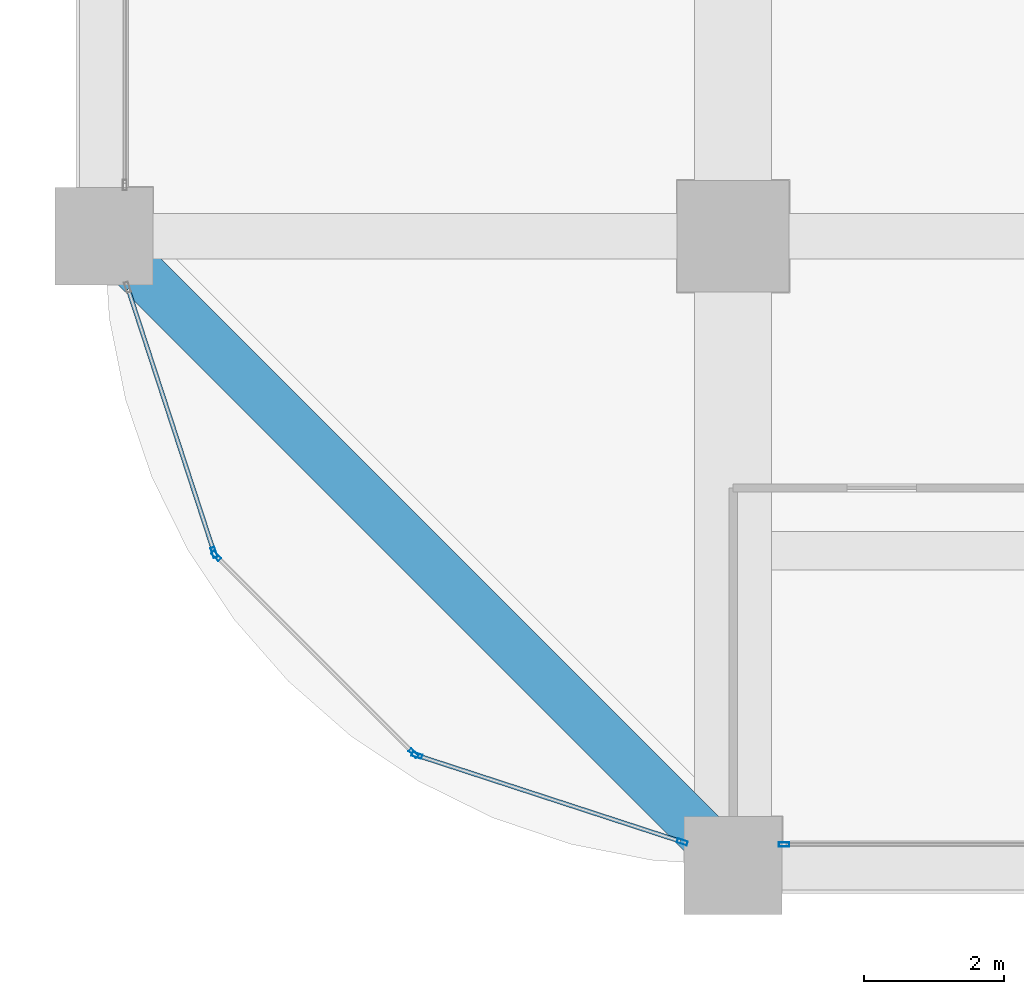
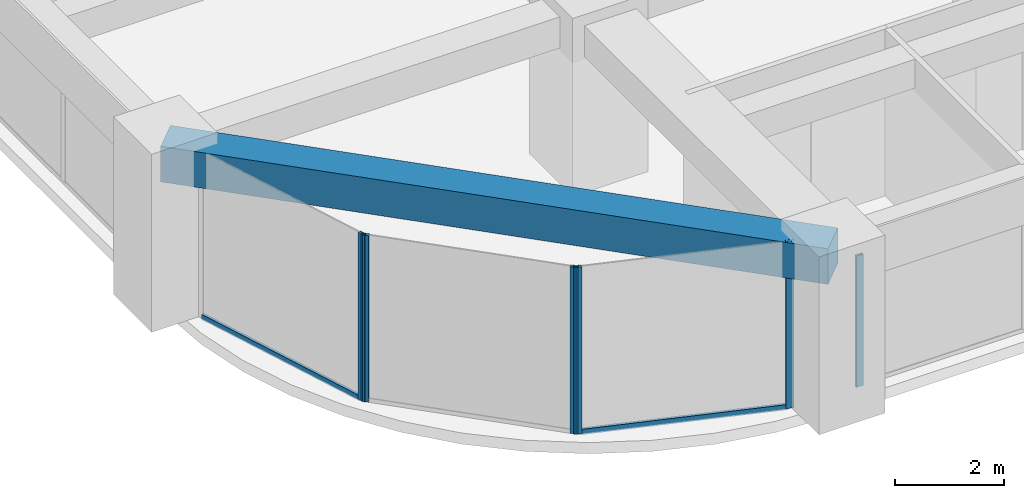
# One storey, part 2 of 33: 8 members, 1 beam, 4 elements without a shape of their own.
"""IFC4 building model written with IfcOpenShell, lengths in metres."""

from ifc_helpers import new_model, si_unit, direction, frame, origin, origin_2d, place, context, subcontext, project, spatial, rectangle, hollow_rectangle, extrude, material, material_profile, profile_set, type_object, element, aggregate, save


model = new_model("IFC4")

# Units and contexts
model_context = context("Model", 3, precision=1e-05, world=origin(), true_north=direction((0.0, 1.0)))
body_context = subcontext(model_context, "Body", "Model", "MODEL_VIEW")
ifc_project = project(units=[si_unit("LENGTHUNIT", "METRE"), si_unit("AREAUNIT", "SQUARE_METRE"), si_unit("VOLUMEUNIT", "CUBIC_METRE"), si_unit("PLANEANGLEUNIT", "RADIAN"), si_unit("MASSUNIT", "GRAM", prefix="KILO")], contexts=[model_context])

# Site, building, storey
site_placement = place(None, origin())
site = spatial("IfcSite", under=ifc_project, at=site_placement, CompositionType="ELEMENT")
building_placement = place(site_placement, origin())
building = spatial("IfcBuilding", under=site, at=building_placement, Name="Zorevar Civic Tower", CompositionType="ELEMENT")
storey_placement = place(building_placement, frame((0.0, 0.0, 178.199951171875)))
storey = spatial("IfcBuildingStorey", under=building, at=storey_placement, Name="L43", CompositionType="ELEMENT", Elevation=178.199951171875)

# Curtain wall, member
ifc_material_1 = material(Name="Dark grey solar-control glass in black aluminium frame", Category="aluminium")
curtain_wall_type = type_object("IfcCurtainWallType", Name="Curtain wall CW4 high zone", PredefinedType="NOTDEFINED", material=ifc_material_1)
curtain_wall_1_placement = place(storey_placement, origin())
curtain_wall_1 = element("IfcCurtainWall", 1, at=curtain_wall_1_placement, inside=storey, type_object=curtain_wall_type, Name="CW4 L43", PredefinedType="NOTDEFINED")
ifc_material_2 = material(Name="Aluminium, black anodised", Category="aluminium")
ifc_material_profile_1 = material_profile(ifc_material_2, hollow_rectangle(XDim=0.06005859375, YDim=0.14990234375, WallThickness=0.00390625, at=origin_2d()), Name="AL 150x60x4")
ifc_profile_set_1 = profile_set([ifc_material_profile_1], Name="Aluminium, black anodised")
member_type_1 = type_object("IfcMemberType", Name="CW4 mullion AL 150x60x4", PredefinedType="MULLION", material=ifc_profile_set_1)
member_1_placement = place(storey_placement, frame((9.72998046875, 0.300048828125, 0.0), z_axis=(0.0, 0.0, 1.0), x_axis=(0.0, 1.0, 0.0)))
member_1 = element("IfcMember", 2, at=member_1_placement, type_object=member_type_1, Name="CW4 mullion 1", PredefinedType="MULLION", context=body_context, shape_type="SweptSolid", body=[
    extrude(hollow_rectangle(XDim=0.06005859375, YDim=0.14990234375, WallThickness=0.00390625, at=origin_2d()), origin(), (0.0, 0.0, 1.0), 2.949951171875),
])
aggregate(curtain_wall_1, [member_1])

curtain_wall_2_placement = place(storey_placement, origin())
curtain_wall_2 = element("IfcCurtainWall", 3, at=curtain_wall_2_placement, inside=storey, type_object=curtain_wall_type, Name="CW4 L43", PredefinedType="NOTDEFINED")
member_2_placement = place(storey_placement, frame((1.57568359375, 4.477783203125, 0.0), z_axis=(0.0, 0.0, 1.0), x_axis=(0.950644749916, 0.310281419775, 0.0)))
member_2 = element("IfcMember", 4, at=member_2_placement, type_object=member_type_1, Name="CW4 mullion 2", PredefinedType="MULLION", context=body_context, shape_type="SweptSolid", body=[
    extrude(hollow_rectangle(XDim=0.06005859375, YDim=0.14990234375, WallThickness=0.00390625, at=origin_2d()), origin(), (0.0, 0.0, 1.0), 3.75),
])

# Curtain wall, members
curtain_wall_3_placement = place(storey_placement, origin())
curtain_wall_3 = element("IfcCurtainWall", 5, at=curtain_wall_3_placement, inside=storey, type_object=curtain_wall_type, Name="CW4 L43", PredefinedType="NOTDEFINED")
member_3_placement = place(storey_placement, frame((1.606201171875, 4.427978515625, 0.0), z_axis=(0.0, 0.0, 1.0), x_axis=(0.707106781187, 0.707106781187, 0.0)))
member_3 = element("IfcMember", 6, at=member_3_placement, type_object=member_type_1, Name="CW4 mullion 1", PredefinedType="MULLION", context=body_context, shape_type="SweptSolid", body=[
    extrude(hollow_rectangle(XDim=0.06005859375, YDim=0.14990234375, WallThickness=0.00390625, at=origin_2d()), origin(), (0.0, 0.0, 1.0), 3.75),
])
member_4_placement = place(storey_placement, frame((4.427978515625, 1.606201171875, 0.0), z_axis=(0.0, 0.0, 1.0), x_axis=(0.707106781187, 0.707106781187, 0.0)))
member_4 = element("IfcMember", 7, at=member_4_placement, type_object=member_type_1, Name="CW4 mullion 2", PredefinedType="MULLION", context=body_context, shape_type="SweptSolid", body=[
    extrude(hollow_rectangle(XDim=0.06005859375, YDim=0.14990234375, WallThickness=0.00390625, at=origin_2d()), origin(), (0.0, 0.0, 1.0), 3.75),
])
aggregate(curtain_wall_3, [member_3, member_4])

curtain_wall_4_placement = place(storey_placement, origin())
curtain_wall_4 = element("IfcCurtainWall", 8, at=curtain_wall_4_placement, inside=storey, type_object=curtain_wall_type, Name="CW4 L43", PredefinedType="NOTDEFINED")
member_5_placement = place(storey_placement, frame((4.477783203125, 1.57568359375, 0.0), z_axis=(0.0, 0.0, 1.0), x_axis=(0.310281419775, 0.950644749916, 0.0)))
member_5 = element("IfcMember", 9, at=member_5_placement, type_object=member_type_1, Name="CW4 mullion 1", PredefinedType="MULLION", context=body_context, shape_type="SweptSolid", body=[
    extrude(hollow_rectangle(XDim=0.06005859375, YDim=0.14990234375, WallThickness=0.00390625, at=origin_2d()), origin(), (0.0, 0.0, 1.0), 3.75),
])
member_6_placement = place(storey_placement, frame((8.271484375, 0.337646484375, 0.0), z_axis=(0.0, 0.0, 1.0), x_axis=(0.310281419775, 0.950644749916, 0.0)))
member_6 = element("IfcMember", 10, at=member_6_placement, type_object=member_type_1, Name="CW4 mullion 2", PredefinedType="MULLION", context=body_context, shape_type="SweptSolid", body=[
    extrude(hollow_rectangle(XDim=0.06005859375, YDim=0.14990234375, WallThickness=0.00390625, at=origin_2d()), origin(), (0.0, 0.0, 1.0), 3.75),
])

# Member
ifc_material_3 = material(Name="Aluminium, black anodised", Category="aluminium")
ifc_material_profile_2 = material_profile(ifc_material_3, hollow_rectangle(XDim=0.06005859375, YDim=0.1201171875, WallThickness=0.0029296875, at=origin_2d()), Name="AL 120x60x3")
ifc_profile_set_2 = profile_set([ifc_material_profile_2], Name="Aluminium, black anodised")
member_type_2 = type_object("IfcMemberType", Name="CW4 transom AL 120x60x3", PredefinedType="USERDEFINED", material=ifc_profile_set_2)
member_7_placement = place(storey_placement, frame((0.346923828125, 8.242919921875, 0.030029296875), z_axis=(0.31025859143, -0.950652200568, 0.0), x_axis=(0.950652200568, 0.31025859143, 0.0)))
member_7 = element("IfcMember", 11, at=member_7_placement, type_object=member_type_2, Name="CW4 sill transom", ObjectType="TRANSOM", PredefinedType="USERDEFINED", context=body_context, shape_type="SweptSolid", body=[
    extrude(hollow_rectangle(XDim=0.06005859375, YDim=0.1201171875, WallThickness=0.0029296875, at=origin_2d()), origin(), (0.0, 0.0, 1.0), 3.930419921875),
])

aggregate(curtain_wall_2, [member_2, member_7])

member_8_placement = place(storey_placement, frame((4.50634765625, 1.56640625, 0.030029296875), z_axis=(0.950652200568, -0.31025859143, 0.0), x_axis=(0.31025859143, 0.950652200568, 0.0)))
member_8 = element("IfcMember", 12, at=member_8_placement, type_object=member_type_2, Name="CW4 sill transom", ObjectType="TRANSOM", PredefinedType="USERDEFINED", context=body_context, shape_type="SweptSolid", body=[
    extrude(hollow_rectangle(XDim=0.06005859375, YDim=0.1201171875, WallThickness=0.0029296875, at=origin_2d()), origin(), (0.0, 0.0, 1.0), 3.930419921875),
])

aggregate(curtain_wall_4, [member_5, member_6, member_8])

# Beam
ifc_material_4 = material(Name="Concrete C50/60", Category="concrete")
ifc_material_profile_3 = material_profile(ifc_material_4, rectangle(XDim=0.699951171875, YDim=0.800048828125, at=origin_2d()), Name="RC 700x800")
ifc_profile_set_3 = profile_set([ifc_material_profile_3], Name="Concrete C50/60")
beam_type = type_object("IfcBeamType", Name="Edge beam RC 700x800", PredefinedType="SPANDREL", material=ifc_profile_set_3)
beam_placement = place(storey_placement, frame((0.0, 9.0, 3.35009765625), z_axis=(0.707106781187, -0.707106781187, 0.0), x_axis=(0.707106781187, 0.707106781187, 0.0)))
element("IfcBeam", 13, at=beam_placement, inside=storey, type_object=beam_type, Name="Corner edge beam L44", PredefinedType="SPANDREL", context=body_context, shape_type="SweptSolid", body=[
    extrude(rectangle(XDim=0.699951171875, YDim=0.800048828125, at=origin_2d()), origin(), (0.0, 0.0, 1.0), 12.72802734375),
])

save(model, "model.ifc")
